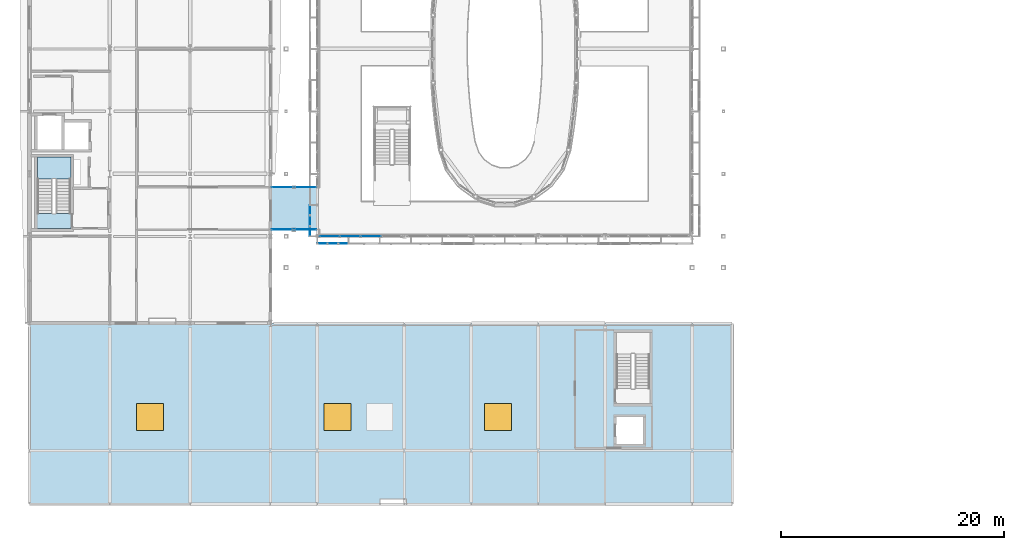
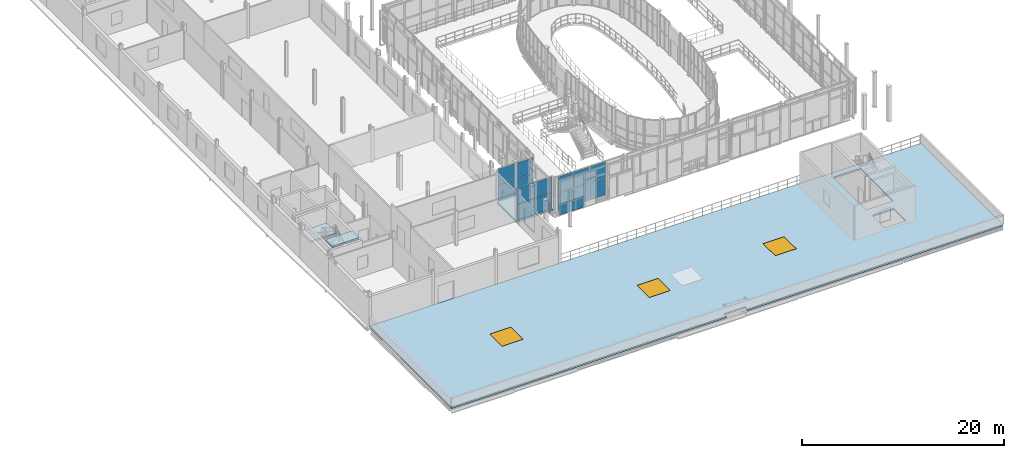
# One storey, part 95 of 138: 16 plates, 4 slabs, 3 windows, 3 openings, 4 elements without a shape of their own.
"""IFC4 building model written with IfcOpenShell, lengths in metres."""

from ifc_helpers import new_model, si_unit, direction, frame, origin, origin_2d, place, context, subcontext, project, spatial, polyline, rectangle, outline, extrude, material, layer, layer_set, type_object, element, fill, aggregate, save


model = new_model("IFC4")

# Units and contexts
model_context = context("Model", 3, precision=1e-05, world=origin(), true_north=direction((0.0, 1.0)))
body_context = subcontext(model_context, "Body", "Model", "MODEL_VIEW")
ifc_project = project(units=[si_unit("LENGTHUNIT", "METRE"), si_unit("AREAUNIT", "SQUARE_METRE"), si_unit("VOLUMEUNIT", "CUBIC_METRE"), si_unit("PLANEANGLEUNIT", "RADIAN"), si_unit("MASSUNIT", "GRAM", prefix="KILO")], contexts=[model_context])

# Site, building, storey
site_placement = place(None, origin())
site = spatial("IfcSite", under=ifc_project, at=site_placement, CompositionType="ELEMENT")
building_placement = place(site_placement, origin())
building = spatial("IfcBuilding", under=site, at=building_placement, Name="Vinh Khe Railworks Police Headquarters", CompositionType="ELEMENT")
storey_placement = place(building_placement, frame((0.0, 0.0, 9.0)))
storey = spatial("IfcBuildingStorey", under=building, at=storey_placement, Name="L02", CompositionType="ELEMENT", Elevation=9.0)

# Slab, openings, windows
ifc_material_1 = material(Name="Concrete C35/45 (B35)", Category="concrete")
ifc_layer_1 = layer(ifc_material_1, 0.199951171875)
ifc_layer_set_1 = layer_set([ifc_layer_1], Name="Concrete C35/45 (B35)")
slab_type_1 = type_object("IfcSlabType", Name="Flat Structural Roof Slab 200", PredefinedType="ROOF", material=ifc_layer_set_1)
slab_1_placement = place(storey_placement, frame((0.0, 0.0, -0.199951171875)))
slab_1 = element("IfcSlab", 1, at=slab_1_placement, inside=storey, type_object=slab_type_1, Name="V4-ROOF Roof Slab (L02)", PredefinedType="ROOF", context=body_context, shape_type="SweptSolid", body=[
    extrude(outline(polyline([(0.60009765625, 1.199951171875), (32.0, 1.199951171875), (32.0, 1.64990234375), (34.39990234375, 1.64990234375), (34.39990234375, 1.199951171875), (63.60009765625, 1.199951171875), (63.60009765625, 17.389892578125), (0.60009765625, 17.389892578125), (0.60009765625, 1.199951171875)]), holes=[polyline([(53.169921875, 10.169921875), (56.22998046875, 10.169921875), (56.22998046875, 16.6298828125), (53.169921875, 16.6298828125), (53.169921875, 10.169921875)]), polyline([(53.179931640625, 6.580078125), (55.6201171875, 6.580078125), (55.6201171875, 9.02001953125), (53.179931640625, 9.02001953125), (53.179931640625, 6.580078125)])]), origin(), (0.0, 0.0, 1.0), 0.199951171875),
])
opening_1_placement = place(slab_1_placement, frame((11.39990234375, 9.0, -0.014892578125)))
opening_1 = element("IfcOpeningElement", 2, at=opening_1_placement, cuts=slab_1, Name="Opening SK-01", PredefinedType="OPENING", context=body_context, shape_type="SweptSolid", body=[
    extrude(rectangle(XDim=2.39990234375, YDim=2.39990234375, at=origin_2d()), origin(), (0.0, 0.0, 1.0), 0.229736328125),
])
opening_2_placement = place(slab_1_placement, frame((28.199951171875, 9.0, -0.014892578125)))
opening_2 = element("IfcOpeningElement", 3, at=opening_2_placement, cuts=slab_1, Name="Opening SK-01", PredefinedType="OPENING", context=body_context, shape_type="SweptSolid", body=[
    extrude(rectangle(XDim=2.39990234375, YDim=2.39990234375, at=origin_2d()), origin(), (0.0, 0.0, 1.0), 0.229736328125),
])
opening_3_placement = place(slab_1_placement, frame((42.60009765625, 9.0, -0.014892578125)))
opening_3 = element("IfcOpeningElement", 4, at=opening_3_placement, cuts=slab_1, Name="Opening SK-01", PredefinedType="OPENING", context=body_context, shape_type="SweptSolid", body=[
    extrude(rectangle(XDim=2.39990234375, YDim=2.39990234375, at=origin_2d()), origin(), (0.0, 0.0, 1.0), 0.229736328125),
])
ifc_material_2 = material(Name="Low-iron laminated solar-control skylight glass", Category="glass")
window_type = type_object("IfcWindowType", Name="SK-2400x2400", PartitioningType="SINGLE_PANEL", PredefinedType="SKYLIGHT", material=ifc_material_2)
window_1_placement = place(slab_1_placement, frame((11.39990234375, 9.0, 0.06005859375)))
window_1 = element("IfcWindow", 5, at=window_1_placement, inside=storey, type_object=window_type, Name="Roof Skylight SK-L02-01", OverallHeight=2.39990234375, OverallWidth=2.39990234375, PartitioningType="SINGLE_PANEL", PredefinedType="SKYLIGHT", context=body_context, shape_type="SweptSolid", body=[
    extrude(rectangle(XDim=2.39990234375, YDim=2.39990234375, at=origin_2d()), origin(), (0.0, 0.0, 1.0), 0.139892578125),
])
fill(opening_1, window_1)
window_2_placement = place(slab_1_placement, frame((28.199951171875, 9.0, 0.06005859375)))
window_2 = element("IfcWindow", 6, at=window_2_placement, inside=storey, type_object=window_type, Name="Roof Skylight SK-L02-02", OverallHeight=2.39990234375, OverallWidth=2.39990234375, PartitioningType="SINGLE_PANEL", PredefinedType="SKYLIGHT", context=body_context, shape_type="SweptSolid", body=[
    extrude(rectangle(XDim=2.39990234375, YDim=2.39990234375, at=origin_2d()), origin(), (0.0, 0.0, 1.0), 0.139892578125),
])
fill(opening_2, window_2)
window_3_placement = place(slab_1_placement, frame((42.60009765625, 9.0, 0.06005859375)))
window_3 = element("IfcWindow", 7, at=window_3_placement, inside=storey, type_object=window_type, Name="Roof Skylight SK-L02-03", OverallHeight=2.39990234375, OverallWidth=2.39990234375, PartitioningType="SINGLE_PANEL", PredefinedType="SKYLIGHT", context=body_context, shape_type="SweptSolid", body=[
    extrude(rectangle(XDim=2.39990234375, YDim=2.39990234375, at=origin_2d()), origin(), (0.0, 0.0, 1.0), 0.139892578125),
])
fill(opening_3, window_3)

# Curtain wall, plates
ifc_material_3 = material(Name="Anodised aluminium and low-iron glass", Category="aluminium")
ifc_layer_2 = layer(ifc_material_3, 0.179931640625)
ifc_layer_set_2 = layer_set([ifc_layer_2], Name="Anodised aluminium and low-iron glass")
curtain_wall_type_1 = type_object("IfcCurtainWallType", Name="CW-CUBE-UNIT", PredefinedType="USERDEFINED", material=ifc_layer_set_2)
curtain_wall_1_placement = place(storey_placement, origin())
curtain_wall_1 = element("IfcCurtainWall", 8, at=curtain_wall_1_placement, inside=storey, type_object=curtain_wall_type_1, Name="Entrance Hall Curtain Wall L02 S-1", ObjectType="UNITISED GLAZING", PredefinedType="USERDEFINED")
ifc_material_4 = material(Name="Low-iron laminated solar-control glass", Category="glass")
ifc_layer_3 = layer(ifc_material_4, 0.028076171875)
ifc_layer_set_3 = layer_set([ifc_layer_3], Name="Low-iron laminated solar-control glass")
plate_type_1 = type_object("IfcPlateType", Name="PAN-GLZ-28", PredefinedType="CURTAIN_PANEL", material=ifc_layer_set_3)
plate_1_placement = place(storey_placement, frame((27.496826171875, 25.199951171875, 0.070068359375), z_axis=(0.0, 0.0, 1.0), x_axis=(1.0, 0.0, 0.0)))
plate_1 = element("IfcPlate", 9, at=plate_1_placement, type_object=plate_type_1, Name="CW-01 panel 1.1", PredefinedType="CURTAIN_PANEL", context=body_context, shape_type="SweptSolid", body=[
    extrude(rectangle(XDim=1.753662109375, YDim=0.028076171875, at=origin_2d()), origin(), (0.0, 0.0, 1.0), 2.0791015625),
])
plate_2_placement = place(storey_placement, frame((27.496826171875, 25.199951171875, 2.21923828125), z_axis=(0.0, 0.0, 1.0), x_axis=(1.0, 0.0, 0.0)))
plate_2 = element("IfcPlate", 10, at=plate_2_placement, type_object=plate_type_1, Name="CW-01 panel 1.2", PredefinedType="CURTAIN_PANEL", context=body_context, shape_type="SweptSolid", body=[
    extrude(rectangle(XDim=1.753662109375, YDim=0.028076171875, at=origin_2d()), origin(), (0.0, 0.0, 1.0), 1.910888671875),
])
plate_3_placement = place(storey_placement, frame((29.338134765625, 25.199951171875, 0.070068359375), z_axis=(0.0, 0.0, 1.0), x_axis=(1.0, 0.0, 0.0)))
plate_3 = element("IfcPlate", 11, at=plate_3_placement, type_object=plate_type_1, Name="CW-01 panel 2.1", PredefinedType="CURTAIN_PANEL", context=body_context, shape_type="SweptSolid", body=[
    extrude(rectangle(XDim=1.788818359375, YDim=0.028076171875, at=origin_2d()), origin(), (0.0, 0.0, 1.0), 2.0791015625),
])
plate_4_placement = place(storey_placement, frame((29.338134765625, 25.199951171875, 2.21923828125), z_axis=(0.0, 0.0, 1.0), x_axis=(1.0, 0.0, 0.0)))
plate_4 = element("IfcPlate", 12, at=plate_4_placement, type_object=plate_type_1, Name="CW-01 panel 2.2", PredefinedType="CURTAIN_PANEL", context=body_context, shape_type="SweptSolid", body=[
    extrude(rectangle(XDim=1.788818359375, YDim=0.028076171875, at=origin_2d()), origin(), (0.0, 0.0, 1.0), 1.910888671875),
])
plate_5_placement = place(storey_placement, frame((31.19677734375, 25.199951171875, 0.070068359375), z_axis=(0.0, 0.0, 1.0), x_axis=(1.0, 0.0, 0.0)))
plate_5 = element("IfcPlate", 13, at=plate_5_placement, type_object=plate_type_1, Name="CW-01 panel 3.1", PredefinedType="CURTAIN_PANEL", context=body_context, shape_type="SweptSolid", body=[
    extrude(rectangle(XDim=1.788818359375, YDim=0.028076171875, at=origin_2d()), origin(), (0.0, 0.0, 1.0), 2.0791015625),
])
plate_6_placement = place(storey_placement, frame((31.19677734375, 25.199951171875, 2.21923828125), z_axis=(0.0, 0.0, 1.0), x_axis=(1.0, 0.0, 0.0)))
plate_6 = element("IfcPlate", 14, at=plate_6_placement, type_object=plate_type_1, Name="CW-01 panel 3.2", PredefinedType="CURTAIN_PANEL", context=body_context, shape_type="SweptSolid", body=[
    extrude(rectangle(XDim=1.788818359375, YDim=0.028076171875, at=origin_2d()), origin(), (0.0, 0.0, 1.0), 1.910888671875),
])
aggregate(curtain_wall_1, [plate_1, plate_2, plate_3, plate_4, plate_5, plate_6])

ifc_material_5 = material(Name="Anodised aluminium and solar-control glass", Category="aluminium")
ifc_layer_4 = layer(ifc_material_5, 0.159912109375)
ifc_layer_set_4 = layer_set([ifc_layer_4], Name="Anodised aluminium and solar-control glass")
curtain_wall_type_2 = type_object("IfcCurtainWallType", Name="CW-SHOPFRONT", PredefinedType="USERDEFINED", material=ifc_layer_set_4)
curtain_wall_2_placement = place(storey_placement, origin())
curtain_wall_2 = element("IfcCurtainWall", 15, at=curtain_wall_2_placement, inside=storey, type_object=curtain_wall_type_2, Name="Atrium Stair Link Glazing L02-S", ObjectType="UNITISED GLAZING", PredefinedType="USERDEFINED")
plate_7_placement = place(storey_placement, frame((23.2900390625, 25.800048828125, 0.06005859375), z_axis=(0.0, 0.0, 1.0), x_axis=(1.0, 0.0, 0.0)))
plate_7 = element("IfcPlate", 16, at=plate_7_placement, type_object=plate_type_1, Name="CW-03 panel 1.1", PredefinedType="CURTAIN_PANEL", context=body_context, shape_type="SweptSolid", body=[
    extrude(rectangle(XDim=1.9599609375, YDim=0.028076171875, at=origin_2d()), origin(), (0.0, 0.0, 1.0), 1.89990234375),
])
plate_8_placement = place(storey_placement, frame((23.2900390625, 25.800048828125, 2.02001953125), z_axis=(0.0, 0.0, 1.0), x_axis=(1.0, 0.0, 0.0)))
plate_8 = element("IfcPlate", 17, at=plate_8_placement, type_object=plate_type_1, Name="CW-03 panel 1.2", PredefinedType="CURTAIN_PANEL", context=body_context, shape_type="SweptSolid", body=[
    extrude(rectangle(XDim=1.9599609375, YDim=0.028076171875, at=origin_2d()), origin(), (0.0, 0.0, 1.0), 1.89990234375),
])
plate_9_placement = place(storey_placement, frame((25.31005859375, 25.800048828125, 0.06005859375), z_axis=(0.0, 0.0, 1.0), x_axis=(1.0, 0.0, 0.0)))
plate_9 = element("IfcPlate", 18, at=plate_9_placement, type_object=plate_type_1, Name="CW-03 panel 2.1", PredefinedType="CURTAIN_PANEL", context=body_context, shape_type="SweptSolid", body=[
    extrude(rectangle(XDim=1.9599609375, YDim=0.028076171875, at=origin_2d()), origin(), (0.0, 0.0, 1.0), 1.89990234375),
])
plate_10_placement = place(storey_placement, frame((25.31005859375, 25.800048828125, 2.02001953125), z_axis=(0.0, 0.0, 1.0), x_axis=(1.0, 0.0, 0.0)))
plate_10 = element("IfcPlate", 19, at=plate_10_placement, type_object=plate_type_1, Name="CW-03 panel 2.2", PredefinedType="CURTAIN_PANEL", context=body_context, shape_type="SweptSolid", body=[
    extrude(rectangle(XDim=1.9599609375, YDim=0.028076171875, at=origin_2d()), origin(), (0.0, 0.0, 1.0), 1.89990234375),
])
aggregate(curtain_wall_2, [plate_7, plate_8, plate_9, plate_10])

curtain_wall_3_placement = place(storey_placement, origin())
curtain_wall_3 = element("IfcCurtainWall", 20, at=curtain_wall_3_placement, inside=storey, type_object=curtain_wall_type_2, Name="Atrium Stair Link Glazing L02-N", ObjectType="UNITISED GLAZING", PredefinedType="USERDEFINED")
plate_11_placement = place(storey_placement, frame((23.2900390625, 29.60009765625, 0.06005859375), z_axis=(0.0, 0.0, 1.0), x_axis=(1.0, 0.0, 0.0)))
plate_11 = element("IfcPlate", 21, at=plate_11_placement, type_object=plate_type_1, Name="CW-03 panel 1.1", PredefinedType="CURTAIN_PANEL", context=body_context, shape_type="SweptSolid", body=[
    extrude(rectangle(XDim=1.9599609375, YDim=0.028076171875, at=origin_2d()), origin(), (0.0, 0.0, 1.0), 1.89990234375),
])
plate_12_placement = place(storey_placement, frame((23.2900390625, 29.60009765625, 2.02001953125), z_axis=(0.0, 0.0, 1.0), x_axis=(1.0, 0.0, 0.0)))
plate_12 = element("IfcPlate", 22, at=plate_12_placement, type_object=plate_type_1, Name="CW-03 panel 1.2", PredefinedType="CURTAIN_PANEL", context=body_context, shape_type="SweptSolid", body=[
    extrude(rectangle(XDim=1.9599609375, YDim=0.028076171875, at=origin_2d()), origin(), (0.0, 0.0, 1.0), 1.89990234375),
])
plate_13_placement = place(storey_placement, frame((25.31005859375, 29.60009765625, 0.06005859375), z_axis=(0.0, 0.0, 1.0), x_axis=(1.0, 0.0, 0.0)))
plate_13 = element("IfcPlate", 23, at=plate_13_placement, type_object=plate_type_1, Name="CW-03 panel 2.1", PredefinedType="CURTAIN_PANEL", context=body_context, shape_type="SweptSolid", body=[
    extrude(rectangle(XDim=1.9599609375, YDim=0.028076171875, at=origin_2d()), origin(), (0.0, 0.0, 1.0), 1.89990234375),
])
plate_14_placement = place(storey_placement, frame((25.31005859375, 29.60009765625, 2.02001953125), z_axis=(0.0, 0.0, 1.0), x_axis=(1.0, 0.0, 0.0)))
plate_14 = element("IfcPlate", 24, at=plate_14_placement, type_object=plate_type_1, Name="CW-03 panel 2.2", PredefinedType="CURTAIN_PANEL", context=body_context, shape_type="SweptSolid", body=[
    extrude(rectangle(XDim=1.9599609375, YDim=0.028076171875, at=origin_2d()), origin(), (0.0, 0.0, 1.0), 1.89990234375),
])
aggregate(curtain_wall_3, [plate_11, plate_12, plate_13, plate_14])

# Plates
ifc_material_6 = material(Name="Salvaged ironwood timber", Category="wood")
ifc_layer_5 = layer(ifc_material_6, 0.050048828125)
ifc_layer_set_5 = layer_set([ifc_layer_5], Name="Salvaged ironwood timber")
plate_type_2 = type_object("IfcPlateType", Name="PLT-QP-03", PredefinedType="SHEET", material=ifc_layer_set_5)
for number, where, z_axis, x_axis, name in (
    (25, (27.800048828125, 24.550048828125, 0.0), (0.0, 0.0, 1.0), (1.0, 0.0, 0.0), "Salvaged Ironwood Panelled Casement S-1"),
    (26, (25.75, 26.60009765625, 0.0), (0.0, 0.0, 1.0), (0.0, 1.0, 0.0), "Salvaged Ironwood Panelled Casement W-1"),
):
    element("IfcPlate", number, at=place(storey_placement, frame(where, z_axis=z_axis, x_axis=x_axis)), inside=storey, type_object=plate_type_2, Name=name, PredefinedType="SHEET", context=body_context, shape_type="SweptSolid", body=[
        extrude(rectangle(XDim=2.800048828125, YDim=0.050048828125, at=origin_2d()), origin(), (0.0, 0.0, 1.0), 1.260009765625),
    ])

# Stair, slabs
ifc_material_7 = material(Name="Precast concrete C40/50 (B40)", Category="concrete")
stair_type = type_object("IfcStairType", Name="ST-CORE-DOGLEG", PredefinedType="HALF_TURN_STAIR", material=ifc_material_7)
stair_placement = place(storey_placement, origin())
stair = element("IfcStair", 27, at=stair_placement, inside=storey, type_object=stair_type, Name="L02 Escape Stair ST-01", PredefinedType="HALF_TURN_STAIR")
ifc_layer_6 = layer(ifc_material_1, 0.199951171875)
ifc_layer_set_6 = layer_set([ifc_layer_6], Name="Concrete C35/45 (B35)")
slab_type_2 = type_object("IfcSlabType", Name="SLB-LAND-200", PredefinedType="LANDING", material=ifc_layer_set_6)
slab_2_placement = place(storey_placement, frame((0.0, 0.0, 1.89990234375)))
slab_2 = element("IfcSlab", 28, at=slab_2_placement, type_object=slab_type_2, Name="ST-01 landing 1", PredefinedType="LANDING", context=body_context, shape_type="SweptSolid", body=[
    extrude(outline(polyline([(4.300048828125, 30.330078125), (4.300048828125, 32.300048828125), (1.300048828125, 32.300048828125), (1.300048828125, 30.330078125), (4.300048828125, 30.330078125)])), origin(), (0.0, 0.0, 1.0), 0.2001953125),
])
slab_3_placement = place(storey_placement, frame((0.0, 0.0, 4.0)))
slab_3 = element("IfcSlab", 29, at=slab_3_placement, type_object=slab_type_2, Name="ST-01 landing 2", PredefinedType="LANDING", context=body_context, shape_type="SweptSolid", body=[
    extrude(outline(polyline([(1.280029296875, 25.8798828125), (4.320068359375, 25.8798828125), (4.320068359375, 27.260009765625), (1.280029296875, 27.260009765625), (1.280029296875, 25.8798828125)])), origin(), (0.0, 0.0, 1.0), 0.199951171875),
])
aggregate(stair, [slab_2, slab_3])

# Slab
ifc_layer_7 = layer(ifc_material_1, 0.219970703125)
ifc_layer_set_7 = layer_set([ifc_layer_7], Name="Concrete C35/45 (B35)")
slab_type_3 = type_object("IfcSlabType", Name="Suspended Floor Slab 220", PredefinedType="FLOOR", material=ifc_layer_set_7)
slab_4_placement = place(storey_placement, frame((0.0, 0.0, -0.219970703125)))
element("IfcSlab", 30, at=slab_4_placement, inside=storey, type_object=slab_type_3, Name="V1-GLK Floor Slab (L02)", PredefinedType="FLOOR", context=body_context, shape_type="SweptSolid", body=[
    extrude(outline(polyline([(22.2099609375, 25.800048828125), (26.389892578125, 25.800048828125), (26.389892578125, 29.60009765625), (22.2099609375, 29.60009765625), (22.2099609375, 25.800048828125)])), origin(), (0.0, 0.0, 1.0), 0.219970703125),
])

save(model, "model.ifc")
